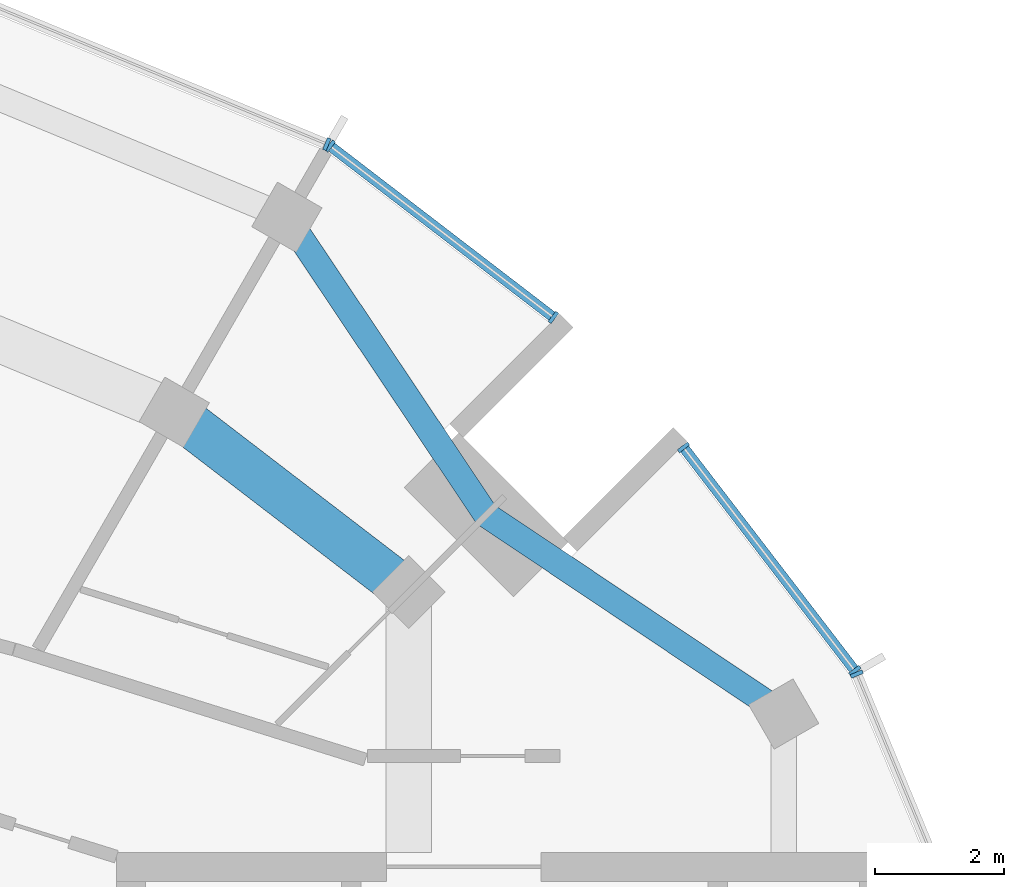
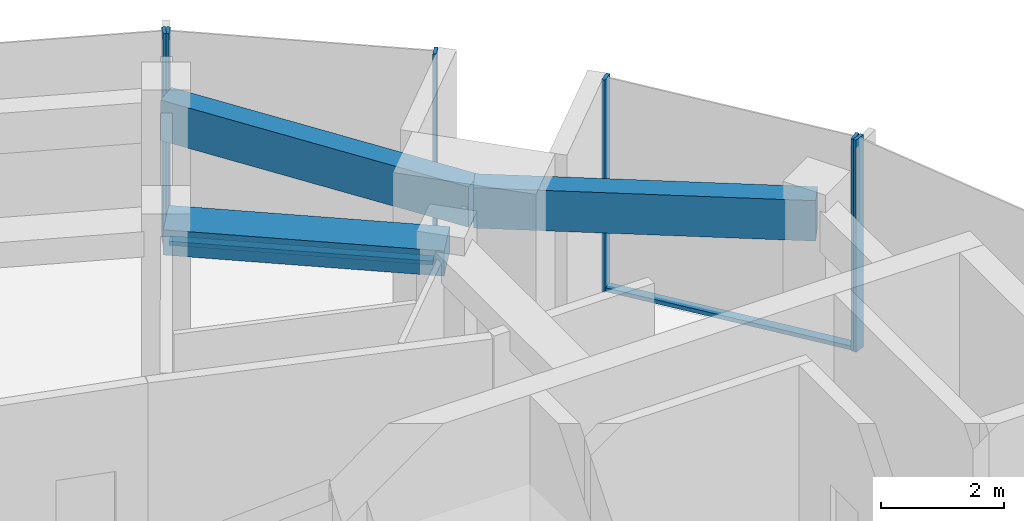
# One storey, part 6 of 14: 8 members, 3 beams, 4 elements without a shape of their own.
"""IFC4 building model written with IfcOpenShell, lengths in metres."""

from ifc_helpers import new_model, si_unit, direction, frame, origin, origin_2d, place, context, subcontext, project, spatial, rectangle, extrude, material, layer, layer_set, material_profile, profile_set, type_object, element, aggregate, save


model = new_model("IFC4")

# Units and contexts
model_context = context("Model", 3, precision=1e-05, world=origin(), true_north=direction((0.0, 1.0)))
body_context = subcontext(model_context, "Body", "Model", "MODEL_VIEW")
ifc_project = project(units=[si_unit("LENGTHUNIT", "METRE"), si_unit("AREAUNIT", "SQUARE_METRE"), si_unit("VOLUMEUNIT", "CUBIC_METRE"), si_unit("PLANEANGLEUNIT", "RADIAN"), si_unit("MASSUNIT", "GRAM", prefix="KILO")], contexts=[model_context])

# Site, building, storey
site_placement = place(None, origin())
site = spatial("IfcSite", under=ifc_project, at=site_placement, CompositionType="ELEMENT")
building_placement = place(site_placement, origin())
building = spatial("IfcBuilding", under=site, at=building_placement, Name="Torre Brocal", CompositionType="ELEMENT")
storey_placement = place(building_placement, frame((0.0, 0.0, 305.10009765625)))
storey = spatial("IfcBuildingStorey", under=building, at=storey_placement, Name="L70", CompositionType="ELEMENT", Elevation=305.10009765625)

# Curtain wall, member
ifc_material_1 = material(Name="Aluminium and glass", Category="aluminium")
ifc_layer = layer(ifc_material_1, 0.199951171875)
ifc_layer_set = layer_set([ifc_layer], Name="Aluminium and glass")
curtain_wall_type = type_object("IfcCurtainWallType", Name="CW-1 CURTAIN WALL 4200 HIGH", PredefinedType="NOTDEFINED", material=ifc_layer_set)
curtain_wall_1_placement = place(storey_placement, origin())
curtain_wall_1 = element("IfcCurtainWall", 1, at=curtain_wall_1_placement, inside=storey, type_object=curtain_wall_type, Name="CW-1 RUN 2", PredefinedType="NOTDEFINED")
ifc_material_2 = material(Name="Aluminium, dark anodised", Category="aluminium")
ifc_material_profile_1 = material_profile(ifc_material_2, rectangle(XDim=0.199951171875, YDim=0.06005859375, at=origin_2d()), Name="CW-1 MULLION 60X200")
ifc_profile_set_1 = profile_set([ifc_material_profile_1], Name="Aluminium, dark anodised")
member_type_1 = type_object("IfcMemberType", Name="CW-1 MULLION 60X200", PredefinedType="MULLION", material=ifc_profile_set_1)
member_1_placement = place(storey_placement, frame((99.40966796875, 86.171875, 0.0), z_axis=(0.0, 0.0, 1.0), x_axis=(-0.923879532545, -0.382683432284, 0.0)))
member_1 = element("IfcMember", 2, at=member_1_placement, type_object=member_type_1, Name="CW1-5 mullion 2", PredefinedType="MULLION", context=body_context, shape_type="SweptSolid", body=[
    extrude(rectangle(XDim=0.199951171875, YDim=0.06005859375, at=origin_2d()), origin(), (0.0, 0.0, 1.0), 4.199951171875),
])
aggregate(curtain_wall_1, [member_1])

# Curtain wall, members
curtain_wall_2_placement = place(storey_placement, origin())
curtain_wall_2 = element("IfcCurtainWall", 3, at=curtain_wall_2_placement, inside=storey, type_object=curtain_wall_type, Name="CW-1 RUN 3", PredefinedType="NOTDEFINED")
member_2_placement = place(storey_placement, frame((99.3798828125, 86.223388671875, 0.0), z_axis=(0.0, 0.0, 1.0), x_axis=(-0.793353340249, -0.608761429064, 0.0)))
member_2 = element("IfcMember", 4, at=member_2_placement, type_object=member_type_1, Name="CW1-5 mullion 1", PredefinedType="MULLION", context=body_context, shape_type="SweptSolid", body=[
    extrude(rectangle(XDim=0.199951171875, YDim=0.06005859375, at=origin_2d()), origin(), (0.0, 0.0, 1.0), 4.199951171875),
])
member_3_placement = place(storey_placement, frame((96.716552734375, 89.694580078125, 0.0), z_axis=(0.0, 0.0, 1.0), x_axis=(-0.793353340249, -0.608761429064, 0.0)))
member_3 = element("IfcMember", 5, at=member_3_placement, type_object=member_type_1, Name="CW1-5 mullion 2", PredefinedType="MULLION", context=body_context, shape_type="SweptSolid", body=[
    extrude(rectangle(XDim=0.199951171875, YDim=0.06005859375, at=origin_2d()), origin(), (0.0, 0.0, 1.0), 4.199951171875),
])

curtain_wall_3_placement = place(storey_placement, origin())
curtain_wall_3 = element("IfcCurtainWall", 6, at=curtain_wall_3_placement, inside=storey, type_object=curtain_wall_type, Name="CW-1 RUN 4", PredefinedType="NOTDEFINED")
member_4_placement = place(storey_placement, frame((94.694580078125, 91.716552734375, 0.0), z_axis=(0.0, 0.0, 1.0), x_axis=(-0.608761429064, -0.793353340249, 0.0)))
member_4 = element("IfcMember", 7, at=member_4_placement, type_object=member_type_1, Name="CW1-5 mullion 1", PredefinedType="MULLION", context=body_context, shape_type="SweptSolid", body=[
    extrude(rectangle(XDim=0.199951171875, YDim=0.06005859375, at=origin_2d()), origin(), (0.0, 0.0, 1.0), 4.199951171875),
])
member_5_placement = place(storey_placement, frame((91.223388671875, 94.3798828125, 0.0), z_axis=(0.0, 0.0, 1.0), x_axis=(-0.608761429064, -0.793353340249, 0.0)))
member_5 = element("IfcMember", 8, at=member_5_placement, type_object=member_type_1, Name="CW1-5 mullion 2", PredefinedType="MULLION", context=body_context, shape_type="SweptSolid", body=[
    extrude(rectangle(XDim=0.199951171875, YDim=0.06005859375, at=origin_2d()), origin(), (0.0, 0.0, 1.0), 4.199951171875),
])

# Curtain wall, member
curtain_wall_4_placement = place(storey_placement, origin())
curtain_wall_4 = element("IfcCurtainWall", 9, at=curtain_wall_4_placement, inside=storey, type_object=curtain_wall_type, Name="CW-1 RUN 5", PredefinedType="NOTDEFINED")
member_6_placement = place(storey_placement, frame((91.171875, 94.40966796875, 0.0), z_axis=(0.0, 0.0, 1.0), x_axis=(-0.382683432284, -0.923879532545, 0.0)))
member_6 = element("IfcMember", 10, at=member_6_placement, type_object=member_type_1, Name="CW1-5 mullion 1", PredefinedType="MULLION", context=body_context, shape_type="SweptSolid", body=[
    extrude(rectangle(XDim=0.199951171875, YDim=0.06005859375, at=origin_2d()), origin(), (0.0, 0.0, 1.0), 4.199951171875),
])
aggregate(curtain_wall_4, [member_6])

# Member
ifc_material_3 = material(Name="Aluminium, dark anodised", Category="aluminium")
ifc_material_profile_2 = material_profile(ifc_material_3, rectangle(XDim=0.159912109375, YDim=0.080078125, at=origin_2d()), Name="CW-1 TRANSOM 160X80")
ifc_profile_set_2 = profile_set([ifc_material_profile_2], Name="Aluminium, dark anodised")
member_type_2 = type_object("IfcMemberType", Name="CW-1 TRANSOM 160X80", PredefinedType="USERDEFINED", material=ifc_profile_set_2)
member_7_placement = place(storey_placement, frame((99.36181640625, 86.2470703125, 0.039794921875), z_axis=(-0.608788976677, 0.793332201462, 0.0), x_axis=(-0.793332201462, -0.608788976677, 0.0)))
member_7 = element("IfcMember", 11, at=member_7_placement, type_object=member_type_2, Name="CW1-5 transom 1.1", ObjectType="TRANSOM", PredefinedType="USERDEFINED", context=body_context, shape_type="SweptSolid", body=[
    extrude(rectangle(XDim=0.159912109375, YDim=0.080078125, at=origin_2d()), origin(), (0.0, 0.0, 1.0), 4.3154296875),
])

aggregate(curtain_wall_2, [member_2, member_3, member_7])

member_8_placement = place(storey_placement, frame((94.670654296875, 91.734619140625, 0.039794921875), z_axis=(-0.793332201462, 0.608788976677, 0.0), x_axis=(-0.608788976677, -0.793332201462, 0.0)))
member_8 = element("IfcMember", 12, at=member_8_placement, type_object=member_type_2, Name="CW1-5 transom 1.1", ObjectType="TRANSOM", PredefinedType="USERDEFINED", context=body_context, shape_type="SweptSolid", body=[
    extrude(rectangle(XDim=0.159912109375, YDim=0.080078125, at=origin_2d()), origin(), (0.0, 0.0, 1.0), 4.3154296875),
])

aggregate(curtain_wall_3, [member_4, member_5, member_8])

# Beams
ifc_material_4 = material(Name="Concrete C50", Category="concrete")
ifc_material_profile_3 = material_profile(ifc_material_4, rectangle(XDim=0.699951171875, YDim=0.5, at=origin_2d()), Name="RC 700X500")
ifc_profile_set_3 = profile_set([ifc_material_profile_3], Name="Concrete C50")
beam_type_1 = type_object("IfcBeamType", Name="RC BEAM 700X500 C50 TOP 3850", PredefinedType="BEAM", material=ifc_profile_set_3)
beam_placement = place(storey_placement, frame((92.445068359375, 87.445068359375, 3.599853515625), z_axis=(-0.793358265959, 0.6087550097, 0.0), x_axis=(-0.6087550097, -0.793358265959, 0.0)))
element("IfcBeam", 13, at=beam_placement, inside=storey, type_object=beam_type_1, Name="Beam BT-48", PredefinedType="BEAM", context=body_context, shape_type="SweptSolid", body=[
    extrude(rectangle(XDim=0.699951171875, YDim=0.5, at=origin_2d()), origin(), (0.0, 0.0, 1.0), 4.594482421875),
])
ifc_material_5 = material(Name="Concrete C50", Category="concrete")
ifc_material_profile_4 = material_profile(ifc_material_5, rectangle(XDim=0.39990234375, YDim=0.800048828125, at=origin_2d()), Name="RC 400X800")
ifc_profile_set_4 = profile_set([ifc_material_profile_4], Name="Concrete C50")
beam_type_2 = type_object("IfcBeamType", Name="RC SPANDREL BEAM 400X800 C50 TOP 3850", PredefinedType="SPANDREL", material=ifc_profile_set_4)
for number, where, z_axis, x_axis, name in (
    (14, (98.273193359375, 85.550048828125, 3.449951171875), (-0.830955689206, 0.556338604247, 0.0), (-0.556338604247, -0.830955689206, 0.0), "Beam BT-49"),
    (15, (93.647216796875, 88.647216796875, 3.449951171875), (-0.556338604247, 0.830955689206, 0.0), (-0.830955689206, -0.556338604247, 0.0), "Beam BT-49"),
):
    element("IfcBeam", number, at=place(storey_placement, frame(where, z_axis=z_axis, x_axis=x_axis)), inside=storey, type_object=beam_type_2, Name=name, PredefinedType="SPANDREL", context=body_context, shape_type="SweptSolid", body=[
        extrude(rectangle(XDim=0.39990234375, YDim=0.800048828125, at=origin_2d()), origin(), (0.0, 0.0, 1.0), 5.567138671875),
    ])

save(model, "model.ifc")
